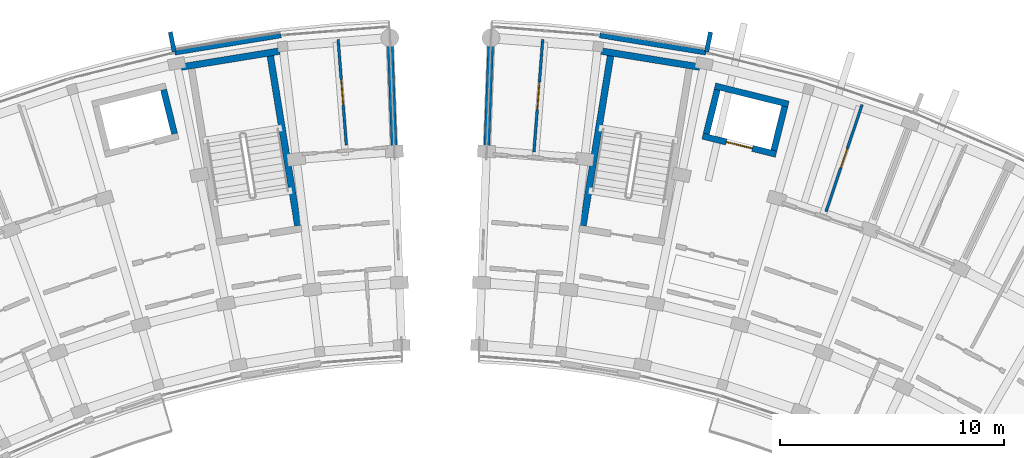
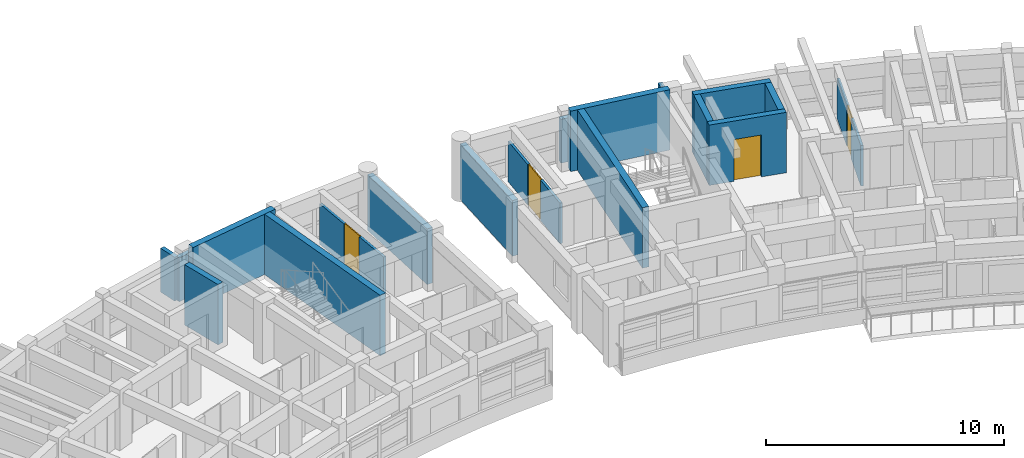
# One storey, part 31 of 56: 18 walls, 4 doors, 4 openings.
"""IFC4 building model written with IfcOpenShell, lengths in metres."""

from ifc_helpers import new_model, si_unit, direction, frame, frame_2d, origin, place, context, subcontext, project, spatial, rectangle, extrude, material, layer, layer_set, type_object, element, fill, save


model = new_model("IFC4")

# Units and contexts
model_context = context("Model", 3, precision=1e-05, world=origin(), true_north=direction((0.0, 1.0)))
body_context = subcontext(model_context, "Body", "Model", "MODEL_VIEW")
ifc_project = project(units=[si_unit("LENGTHUNIT", "METRE"), si_unit("AREAUNIT", "SQUARE_METRE"), si_unit("VOLUMEUNIT", "CUBIC_METRE"), si_unit("PLANEANGLEUNIT", "RADIAN"), si_unit("MASSUNIT", "GRAM", prefix="KILO")], contexts=[model_context])

# Site, building, storey
site_placement = place(None, origin())
site = spatial("IfcSite", under=ifc_project, at=site_placement, CompositionType="ELEMENT")
building_placement = place(site_placement, origin())
building = spatial("IfcBuilding", under=site, at=building_placement, Name="Zimvara Arc Housing Community", CompositionType="ELEMENT")
storey_placement = place(building_placement, frame((0.0, 0.0, 17.39990234375)))
storey = spatial("IfcBuildingStorey", under=building, at=storey_placement, Name="L05", CompositionType="ELEMENT", Elevation=17.39990234375)

# Walls
ifc_material_1 = material(Name="Board-Marked Fair-Faced Concrete C35/45", Category="concrete")
ifc_layer_1 = layer(ifc_material_1, 0.22998046875)
ifc_layer_set_1 = layer_set([ifc_layer_1], Name="Board-Marked Fair-Faced Concrete C35/45")
wall_type_1 = type_object("IfcWallType", Name="EWL-CONC-230", PredefinedType="SOLIDWALL", material=ifc_layer_set_1)
for number, where, z_axis, x_axis, name in (
    (1, (33.120361328125, 102.6787109375, 0.0), (0.0, 0.0, 1.0), (0.987080750493, 0.160223568819, 0.0), "ewall:blkA:L05:out:b8"),
    (2, (52.1328125, 103.44921875, 0.0), (0.0, 0.0, 1.0), (0.987080750493, -0.160223568819, 0.0), "ewall:blkB:L05:out:b1"),
):
    element("IfcWall", number, at=place(storey_placement, frame(where, z_axis=z_axis, x_axis=x_axis)), inside=storey, type_object=wall_type_1, Name=name, PredefinedType="SOLIDWALL", context=body_context, shape_type="SweptSolid", body=[
        extrude(rectangle(XDim=4.808837890625, YDim=0.22998046875, at=frame_2d((2.404296875, 0.0))), origin(), (0.0, 0.0, 1.0), 2.25),
    ])
ifc_material_2 = material(Name="Board-Marked Fair-Faced Concrete C35/45", Category="concrete")
ifc_layer_2 = layer(ifc_material_2, 0.195068359375)
ifc_layer_set_2 = layer_set([ifc_layer_2], Name="Board-Marked Fair-Faced Concrete C35/45")
wall_type_2 = type_object("IfcWallType", Name="EWL-PARA-195", PredefinedType="PARAPET", material=ifc_layer_set_2)
for number, where, z_axis, x_axis, name in (
    (3, (33.092529296875, 102.714599609375, 0.0), (0.0, 0.0, 1.0), (-0.200183211319, 0.979758481416, 0.0), "finwall:blkA:L05:out:b8"),
    (4, (56.907470703125, 102.714599609375, 0.0), (0.0, 0.0, 1.0), (0.200183211319, 0.979758481416, 0.0), "finwall:blkB:L05:out:b2"),
):
    element("IfcWall", number, at=place(storey_placement, frame(where, z_axis=z_axis, x_axis=x_axis)), inside=storey, type_object=wall_type_2, Name=name, PredefinedType="PARAPET", context=body_context, shape_type="SweptSolid", body=[
        extrude(rectangle(XDim=0.900146484375, YDim=0.195068359375, at=frame_2d((0.4501953125, 0.0))), origin(), (0.0, 0.0, 1.0), 2.25),
    ])

# Wall, opening, door
ifc_material_3 = material(Name="Painted Acoustic Plasterboard")
ifc_layer_3 = layer(ifc_material_3, 0.1201171875)
ifc_layer_set_3 = layer_set([ifc_layer_3], Name="Painted Acoustic Plasterboard")
wall_type_3 = type_object("IfcWallType", Name="IWL-PART-120", PredefinedType="PARTITIONING", material=ifc_layer_set_3)
wall_1_placement = place(storey_placement, frame((40.791259765625, 98.536376953125, 0.0), z_axis=(0.0, 0.0, 1.0), x_axis=(-0.077663362156, 0.996979639801, 0.0)))
wall_1 = element("IfcWall", 5, at=wall_1_placement, inside=storey, type_object=wall_type_3, Name="iwall:blkA:L05:bed_div:b9", PredefinedType="PARTITIONING", context=body_context, shape_type="SweptSolid", body=[
    extrude(rectangle(XDim=4.75, YDim=0.1201171875, at=frame_2d((2.375, 0.0))), origin(), (0.0, 0.0, 1.0), 2.080078125),
])
opening_1_placement = place(wall_1_placement, frame((1.81005859375, 0.0, 0.0)))
opening_1 = element("IfcOpeningElement", 6, at=opening_1_placement, cuts=wall_1, Name="Opening D17", PredefinedType="OPENING", context=body_context, shape_type="SweptSolid", body=[
    extrude(rectangle(XDim=1.1298828125, YDim=2.10009765625, at=frame_2d((0.56494140625, 1.050048828125))), frame((0.0, 0.070068359375, 0.0), z_axis=(0.0, -1.0, 0.0), x_axis=(1.0, 0.0, 0.0)), (0.0, 0.0, 1.0), 0.14013671875),
])
ifc_material_4 = material(Name="Mozambican Hardwood", Category="wood")
door_type_1 = type_object("IfcDoorType", Name="IDR-MOD-1130x2240", OperationType="NOTDEFINED", PredefinedType="DOOR", material=ifc_material_4)
door_1_placement = place(opening_1_placement, origin())
door_1 = element("IfcDoor", 7, at=door_1_placement, inside=storey, type_object=door_type_1, Name="idoor:blkA:L05:bed_d:b9", OperationType="SINGLE_SWING_LEFT", OverallHeight=2.10009765625, OverallWidth=1.1298828125, PredefinedType="DOOR", context=body_context, shape_type="SweptSolid", body=[
    extrude(rectangle(XDim=1.1298828125, YDim=2.10009765625, at=frame_2d((0.56494140625, 1.050048828125))), frame((0.0, 0.02490234375, 0.0), z_axis=(0.0, -1.0, 0.0), x_axis=(1.0, 0.0, 0.0)), (0.0, 0.0, 1.0), 0.050048828125),
])
fill(opening_1, door_1)

wall_2_placement = place(storey_placement, frame((49.185546875, 98.2373046875, 0.0), z_axis=(0.0, 0.0, 1.0), x_axis=(0.077642898906, 0.99698123365, 0.0)))
wall_2 = element("IfcWall", 8, at=wall_2_placement, inside=storey, type_object=wall_type_3, Name="iwall:blkB:L05:bed_div:b0", PredefinedType="PARTITIONING", context=body_context, shape_type="SweptSolid", body=[
    extrude(rectangle(XDim=5.0498046875, YDim=0.1201171875, at=frame_2d((2.52490234375, 0.0))), origin(), (0.0, 0.0, 1.0), 2.080078125),
])
opening_2_placement = place(wall_2_placement, frame((1.905029296875, 0.0, 0.0)))
opening_2 = element("IfcOpeningElement", 9, at=opening_2_placement, cuts=wall_2, Name="Opening D19", PredefinedType="OPENING", context=body_context, shape_type="SweptSolid", body=[
    extrude(rectangle(XDim=1.239990234375, YDim=2.10009765625, at=frame_2d((0.6201171875, 1.050048828125))), frame((0.0, 0.070068359375, 0.0), z_axis=(0.0, -1.0, 0.0), x_axis=(1.0, 0.0, 0.0)), (0.0, 0.0, 1.0), 0.14013671875),
])
ifc_material_5 = material(Name="Mozambican Hardwood", Category="wood")
door_type_2 = type_object("IfcDoorType", Name="IDR-MOD-1240x2180", OperationType="NOTDEFINED", PredefinedType="DOOR", material=ifc_material_5)
door_2_placement = place(opening_2_placement, origin())
door_2 = element("IfcDoor", 10, at=door_2_placement, inside=storey, type_object=door_type_2, Name="idoor:blkB:L05:bed_d:b0", OperationType="SINGLE_SWING_RIGHT", OverallHeight=2.10009765625, OverallWidth=1.239990234375, PredefinedType="DOOR", context=body_context, shape_type="SweptSolid", body=[
    extrude(rectangle(XDim=1.239990234375, YDim=2.10009765625, at=frame_2d((0.6201171875, 1.050048828125))), frame((0.0, 0.02490234375, 0.0), z_axis=(0.0, -1.0, 0.0), x_axis=(1.0, 0.0, 0.0)), (0.0, 0.0, 1.0), 0.050048828125),
])
fill(opening_2, door_2)

wall_3_placement = place(storey_placement, frame((62.2509765625, 95.564697265625, 0.0), z_axis=(0.0, 0.0, 1.0), x_axis=(0.32008297059, 0.94738951437, 0.0)))
wall_3 = element("IfcWall", 11, at=wall_3_placement, inside=storey, type_object=wall_type_3, Name="iwall:blkB:L05:bed_div:b3", PredefinedType="PARTITIONING", context=body_context, shape_type="SweptSolid", body=[
    extrude(rectangle(XDim=5.050048828125, YDim=0.1201171875, at=frame_2d((2.52490234375, 0.0))), origin(), (0.0, 0.0, 1.0), 2.080078125),
])
opening_3_placement = place(wall_3_placement, frame((2.06494140625, 0.0, 0.0)))
opening_3 = element("IfcOpeningElement", 12, at=opening_3_placement, cuts=wall_3, Name="Opening D02", PredefinedType="OPENING", context=body_context, shape_type="SweptSolid", body=[
    extrude(rectangle(XDim=0.919921875, YDim=2.10009765625, at=frame_2d((0.4599609375, 1.050048828125))), frame((0.0, 0.070068359375, 0.0), z_axis=(0.0, -1.0, 0.0), x_axis=(1.0, 0.0, 0.0)), (0.0, 0.0, 1.0), 0.14013671875),
])
ifc_material_6 = material(Name="Mozambican Hardwood", Category="wood")
door_type_3 = type_object("IfcDoorType", Name="IDR-RM-0920x2100", OperationType="NOTDEFINED", PredefinedType="DOOR", material=ifc_material_6)
door_3_placement = place(opening_3_placement, origin())
door_3 = element("IfcDoor", 13, at=door_3_placement, inside=storey, type_object=door_type_3, Name="idoor:blkB:L05:bed_d:b3", OperationType="SINGLE_SWING_LEFT", OverallHeight=2.10009765625, OverallWidth=0.919921875, PredefinedType="DOOR", context=body_context, shape_type="SweptSolid", body=[
    extrude(rectangle(XDim=0.919921875, YDim=2.10009765625, at=frame_2d((0.4599609375, 1.050048828125))), frame((0.0, 0.02490234375, 0.0), z_axis=(0.0, -1.0, 0.0), x_axis=(1.0, 0.0, 0.0)), (0.0, 0.0, 1.0), 0.050048828125),
])
fill(opening_3, door_3)

# Wall
ifc_material_7 = material(Name="Concrete C40/50", Category="concrete")
ifc_layer_4 = layer(ifc_material_7, 0.280029296875)
ifc_layer_set_4 = layer_set([ifc_layer_4], Name="Concrete C40/50")
wall_type_4 = type_object("IfcWallType", Name="WL-CORE-280", PredefinedType="SHEAR", material=ifc_layer_set_4)
wall_4_placement = place(storey_placement, frame((33.103515625, 99.04443359375, 0.0), z_axis=(0.0, 0.0, 1.0), x_axis=(-0.240186044774, 0.970726873995, 0.0)))
element("IfcWall", 14, at=wall_4_placement, inside=storey, type_object=wall_type_4, Name="lwall:LF-A2:L05:left", PredefinedType="SHEAR", context=body_context, shape_type="SweptSolid", body=[
    extrude(rectangle(XDim=2.02978515625, YDim=0.280029296875, at=frame_2d((1.014892578125, 0.0))), origin(), (0.0, 0.0, 1.0), 3.10009765625),
])

# Wall, opening, door
wall_5_placement = place(storey_placement, frame((60.017578125, 98.127685546875, 0.0), z_axis=(0.0, 0.0, 1.0), x_axis=(-0.970707542441, 0.240264160972, 0.0)))
wall_5 = element("IfcWall", 15, at=wall_5_placement, inside=storey, type_object=wall_type_4, Name="lwall:LF-B1:L05:front", PredefinedType="SHEAR", context=body_context, shape_type="SweptSolid", body=[
    extrude(rectangle(XDim=3.389892578125, YDim=0.280029296875, at=frame_2d((1.69482421875, 0.0))), origin(), (0.0, 0.0, 1.0), 3.10009765625),
])
opening_4_placement = place(wall_5_placement, frame((1.094970703125, 0.0, 0.0)))
opening_4 = element("IfcOpeningElement", 16, at=opening_4_placement, cuts=wall_5, Name="Opening LD-LF-B1", PredefinedType="OPENING", context=body_context, shape_type="SweptSolid", body=[
    extrude(rectangle(XDim=1.199951171875, YDim=2.14990234375, at=frame_2d((0.60009765625, 1.074951171875))), frame((0.0, 0.14990234375, 0.0), z_axis=(0.0, -1.0, 0.0), x_axis=(1.0, 0.0, 0.0)), (0.0, 0.0, 1.0), 0.300048828125),
])
ifc_material_8 = material(Name="Anodised Aluminium AW-6063", Category="aluminium")
door_type_4 = type_object("IfcDoorType", Name="IDR-LD-1200x2150", OperationType="DOUBLE_DOOR_SLIDING", PredefinedType="DOOR", material=ifc_material_8)
door_4_placement = place(opening_4_placement, origin())
door_4 = element("IfcDoor", 17, at=door_4_placement, inside=storey, type_object=door_type_4, Name="Lift LF-B1 Sliding Landing Door L05", OperationType="DOUBLE_DOOR_SLIDING", OverallHeight=2.14990234375, OverallWidth=1.199951171875, PredefinedType="DOOR", context=body_context, shape_type="SweptSolid", body=[
    extrude(rectangle(XDim=1.199951171875, YDim=2.14990234375, at=frame_2d((0.60009765625, 1.074951171875))), frame((0.0, 0.02490234375, 0.0), z_axis=(0.0, -1.0, 0.0), x_axis=(1.0, 0.0, 0.0)), (0.0, 0.0, 1.0), 0.050048828125),
])
fill(opening_4, door_4)

# Walls
wall_6_placement = place(storey_placement, frame((60.572509765625, 100.3701171875, 0.0), z_axis=(0.0, 0.0, 1.0), x_axis=(-0.970711699588, 0.240247364777, 0.0)))
element("IfcWall", 18, at=wall_6_placement, inside=storey, type_object=wall_type_4, Name="lwall:LF-B1:L05:back", PredefinedType="SHEAR", context=body_context, shape_type="SweptSolid", body=[
    extrude(rectangle(XDim=3.39013671875, YDim=0.280029296875, at=frame_2d((1.695068359375, 0.0))), origin(), (0.0, 0.0, 1.0), 3.10009765625),
])
wall_7_placement = place(storey_placement, frame((59.915283203125, 98.29736328125, 0.0), z_axis=(0.0, 0.0, 1.0), x_axis=(0.2402993748, 0.970698825832, 0.0)))
element("IfcWall", 19, at=wall_7_placement, inside=storey, type_object=wall_type_4, Name="lwall:LF-B1:L05:left", PredefinedType="SHEAR", context=body_context, shape_type="SweptSolid", body=[
    extrude(rectangle(XDim=2.030029296875, YDim=0.280029296875, at=frame_2d((1.01513671875, 0.0))), origin(), (0.0, 0.0, 1.0), 3.10009765625),
])
wall_8_placement = place(storey_placement, frame((56.896484375, 99.04443359375, 0.0), z_axis=(0.0, 0.0, 1.0), x_axis=(0.240186044774, 0.970726873995, 0.0)))
element("IfcWall", 20, at=wall_8_placement, inside=storey, type_object=wall_type_4, Name="lwall:LF-B1:L05:right", PredefinedType="SHEAR", context=body_context, shape_type="SweptSolid", body=[
    extrude(rectangle(XDim=2.02978515625, YDim=0.280029296875, at=frame_2d((1.014892578125, 0.0))), origin(), (0.0, 0.0, 1.0), 3.10009765625),
])
ifc_material_9 = material(Name="Concrete C40/50", Category="concrete")
ifc_layer_5 = layer(ifc_material_9, 0.300048828125)
ifc_layer_set_5 = layer_set([ifc_layer_5], Name="Concrete C40/50")
wall_type_5 = type_object("IfcWallType", Name="WL-CORE-300", PredefinedType="SHEAR", material=ifc_layer_set_5)
wall_9_placement = place(storey_placement, frame((37.8095703125, 102.745361328125, 0.0), z_axis=(0.0, 0.0, 1.0), x_axis=(-0.987084710126, -0.160199173019, 0.0)))
element("IfcWall", 21, at=wall_9_placement, inside=storey, type_object=wall_type_5, Name="cwall:ST-A2:L05:far", PredefinedType="SHEAR", context=body_context, shape_type="SweptSolid", body=[
    extrude(rectangle(XDim=4.4697265625, YDim=0.300048828125, at=frame_2d((2.23486328125, 0.0))), origin(), (0.0, 0.0, 1.0), 3.10009765625),
])
wall_10_placement = place(storey_placement, frame((38.62158203125, 94.9345703125, 0.0), z_axis=(0.0, 0.0, 1.0), x_axis=(-0.160196564502, 0.987085133472, 0.0)))
element("IfcWall", 22, at=wall_10_placement, inside=storey, type_object=wall_type_5, Name="cwall:ST-A2:L05:left", PredefinedType="SHEAR", context=body_context, shape_type="SweptSolid", body=[
    extrude(rectangle(XDim=7.690185546875, YDim=0.300048828125, at=frame_2d((3.84521484375, 0.0))), origin(), (0.0, 0.0, 1.0), 3.10009765625),
])
wall_11_placement = place(storey_placement, frame((56.6025390625, 102.029296875, 0.0), z_axis=(0.0, 0.0, 1.0), x_axis=(-0.987084710126, 0.160199173019, 0.0)))
element("IfcWall", 23, at=wall_11_placement, inside=storey, type_object=wall_type_5, Name="cwall:ST-B1:L05:far", PredefinedType="SHEAR", context=body_context, shape_type="SweptSolid", body=[
    extrude(rectangle(XDim=4.4697265625, YDim=0.300048828125, at=frame_2d((2.23486328125, 0.0))), origin(), (0.0, 0.0, 1.0), 3.10009765625),
])
wall_12_placement = place(storey_placement, frame((51.37841796875, 94.9345703125, 0.0), z_axis=(0.0, 0.0, 1.0), x_axis=(0.160196564502, 0.987085133472, 0.0)))
element("IfcWall", 24, at=wall_12_placement, inside=storey, type_object=wall_type_5, Name="cwall:ST-B1:L05:right", PredefinedType="SHEAR", context=body_context, shape_type="SweptSolid", body=[
    extrude(rectangle(XDim=7.690185546875, YDim=0.300048828125, at=frame_2d((3.84521484375, 0.0))), origin(), (0.0, 0.0, 1.0), 3.10009765625),
])
ifc_material_10 = material(Name="Concrete C40/50", Category="concrete")
ifc_layer_6 = layer(ifc_material_10, 0.27001953125)
ifc_layer_set_6 = layer_set([ifc_layer_6], Name="Concrete C40/50")
wall_type_6 = type_object("IfcWallType", Name="WL-SHEAR-270", PredefinedType="SHEAR", material=ifc_layer_set_6)
for number, where, z_axis, x_axis, name in (
    (25, (42.927734375, 98.440185546875, 0.0), (0.0, 0.0, 1.0), (-0.038379487611, 0.999263236055, 0.0), "swall:blkA:L05:east"),
    (26, (47.072265625, 98.440185546875, 0.0), (0.0, 0.0, 1.0), (0.038379487611, 0.999263236055, 0.0), "swall:blkB:L05:west"),
):
    element("IfcWall", number, at=place(storey_placement, frame(where, z_axis=z_axis, x_axis=x_axis)), inside=storey, type_object=wall_type_6, Name=name, PredefinedType="SHEAR", context=body_context, shape_type="SweptSolid", body=[
        extrude(rectangle(XDim=4.719970703125, YDim=0.27001953125, at=frame_2d((2.35986328125, 0.0))), origin(), (0.0, 0.0, 1.0), 2.860107421875),
    ])

save(model, "model.ifc")
